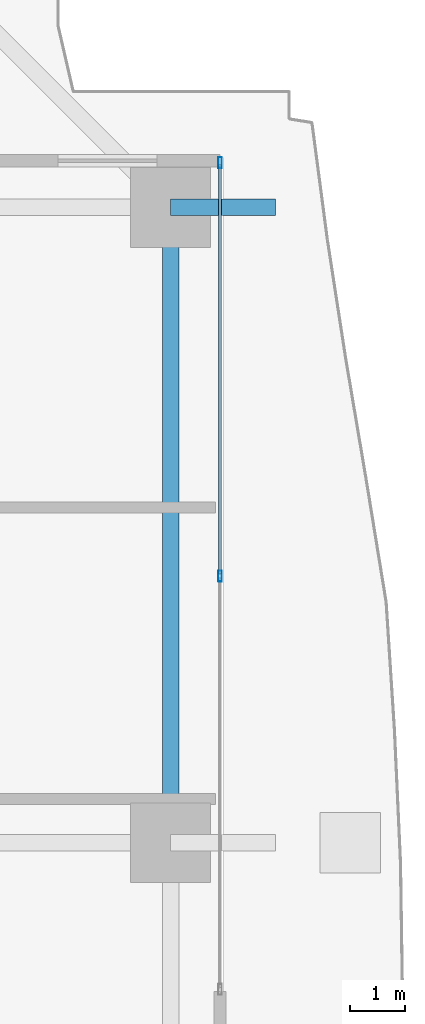
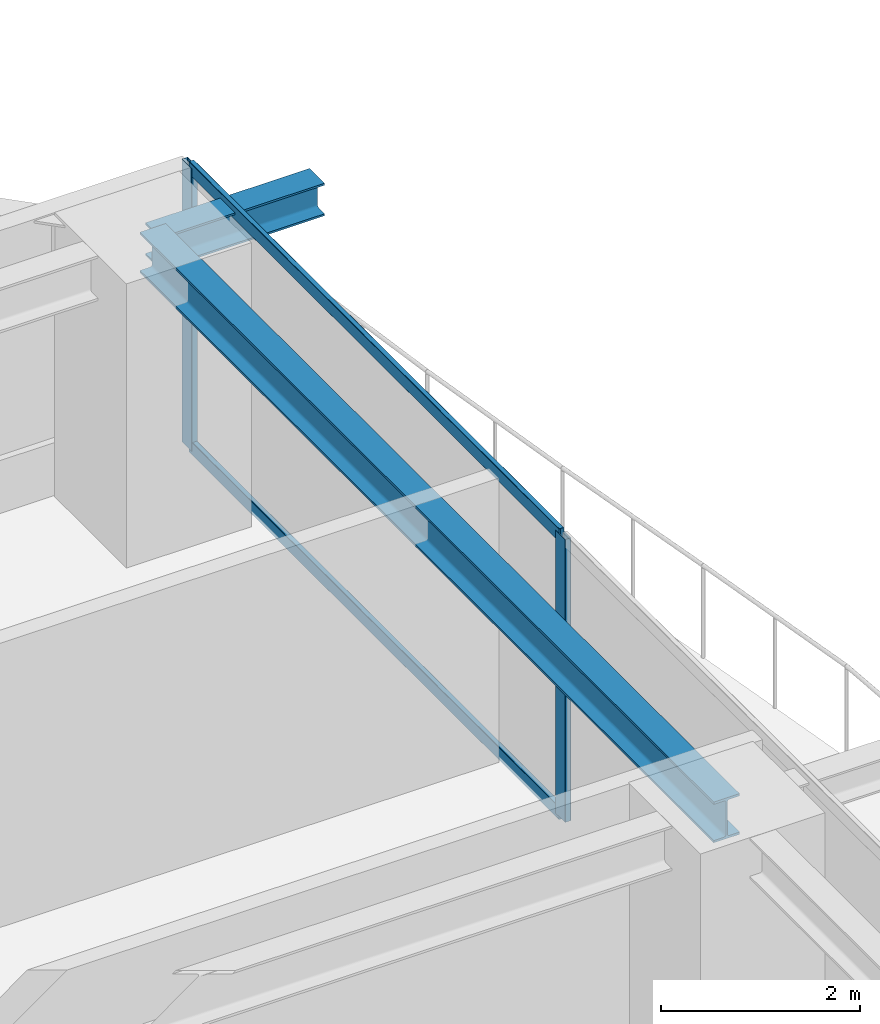
# One storey, part 23 of 38: 4 members, 2 beams, 1 element without a shape of its own.
"""IFC4 building model written with IfcOpenShell, lengths in metres."""

from ifc_helpers import new_model, si_unit, direction, frame, origin, origin_2d, place, context, subcontext, project, spatial, hollow_rectangle, i_section, extrude, source, transform, mapped, material, layer, layer_set, material_profile, profile_set, type_object, element, aggregate, save


model = new_model("IFC4")

# Units and contexts
model_context = context("Model", 3, precision=1e-05, world=origin(), true_north=direction((0.0, 1.0)))
body_context = subcontext(model_context, "Body", "Model", "MODEL_VIEW")
ifc_project = project(units=[si_unit("LENGTHUNIT", "METRE"), si_unit("AREAUNIT", "SQUARE_METRE"), si_unit("VOLUMEUNIT", "CUBIC_METRE"), si_unit("PLANEANGLEUNIT", "RADIAN"), si_unit("MASSUNIT", "GRAM", prefix="KILO")], contexts=[model_context])

# Site, building, storey
site_placement = place(None, origin())
site = spatial("IfcSite", under=ifc_project, at=site_placement, CompositionType="ELEMENT")
building_placement = place(site_placement, origin())
building = spatial("IfcBuilding", under=site, at=building_placement, Name="Serunith Strait Residences", CompositionType="ELEMENT")
storey_placement = place(building_placement, frame((0.0, 0.0, 82.949951171875)))
storey = spatial("IfcBuildingStorey", under=building, at=storey_placement, Name="L20", CompositionType="ELEMENT", Elevation=82.949951171875)

# Beams
ifc_material_1 = material(Name="Steel S355J2", Category="steel")
ifc_material_profile_1 = material_profile(ifc_material_1, i_section(OverallWidth=0.300048828125, OverallDepth=0.5, WebThickness=0.014404296875, FlangeThickness=0.028076171875, FilletRadius=0.027099609375, at=origin_2d()), Name="HEB 500")
ifc_profile_set_1 = profile_set([ifc_material_profile_1], Name="Steel S355J2")
beam_type_1 = type_object("IfcBeamType", Name="BM-HEB500", PredefinedType="BEAM", material=ifc_profile_set_1)
shared_shape_1 = source(origin(), body_context, "Body", "SweptSolid", [
    extrude(i_section(OverallWidth=0.300048828125, OverallDepth=0.5, WebThickness=0.014404296875, FlangeThickness=0.028076171875, FilletRadius=0.027099609375, at=origin_2d()), origin(), (0.0, 0.0, 1.0), 11.550048828125),
])
beam_1_placement = place(storey_placement, frame((57.89990234375, 29.39990234375, 3.237060546875), z_axis=(0.0, 1.0, 0.0), x_axis=(-1.0, 0.0, 0.0)))
element("IfcBeam", 1, at=beam_1_placement, inside=storey, type_object=beam_type_1, Name="L20 Perimeter Ring Beam 07", PredefinedType="BEAM", context=body_context, shape_type="MappedRepresentation", body=[
    mapped(shared_shape_1, transform((0.0, 0.0, 0.0), scale=1.0)),
])
ifc_material_profile_2 = material_profile(ifc_material_1, i_section(OverallWidth=0.300048828125, OverallDepth=0.39990234375, WebThickness=0.013427734375, FlangeThickness=0.02392578125, FilletRadius=0.027099609375, at=origin_2d()), Name="HEB 400")
ifc_profile_set_2 = profile_set([ifc_material_profile_2], Name="Steel S355J2")
beam_type_2 = type_object("IfcBeamType", Name="BM-HEB400", PredefinedType="BEAM", material=ifc_profile_set_2)
shared_shape_2 = source(origin(), body_context, "Body", "SweptSolid", [
    extrude(i_section(OverallWidth=0.300048828125, OverallDepth=0.39990234375, WebThickness=0.013427734375, FlangeThickness=0.02392578125, FilletRadius=0.027099609375, at=origin_2d()), origin(), (0.0, 0.0, 1.0), 1.91015625),
])
beam_2_placement = place(storey_placement, frame((57.89990234375, 40.949951171875, 3.257080078125), z_axis=(1.0, 0.0, 0.0), x_axis=(0.0, 1.0, 0.0)))
element("IfcBeam", 2, at=beam_2_placement, inside=storey, type_object=beam_type_2, Name="L21 Cantilevered Balcony Rib TC-E4", PredefinedType="BEAM", context=body_context, shape_type="MappedRepresentation", body=[
    mapped(shared_shape_2, transform((0.0, 0.0, 0.0), scale=1.0)),
])

# Curtain wall, members
ifc_material_2 = material(Name="Pale-Champagne Anodised Aluminium", Category="aluminium")
ifc_layer = layer(ifc_material_2, 0.199951171875, Name="Pale-Champagne Anodised Aluminium")
ifc_layer_set = layer_set([ifc_layer], Name="Pale-Champagne Anodised Aluminium")
curtain_wall_type = type_object("IfcCurtainWallType", Name="CW-SYS1", PredefinedType="NOTDEFINED", material=ifc_layer_set)
curtain_wall_placement = place(storey_placement, origin())
curtain_wall = element("IfcCurtainWall", 3, at=curtain_wall_placement, inside=storey, type_object=curtain_wall_type, Name="L20 E Unitised Fritted Curtain Wall", PredefinedType="NOTDEFINED")
ifc_material_profile_3 = material_profile(ifc_material_2, hollow_rectangle(XDim=0.070068359375, YDim=0.199951171875, WallThickness=0.00390625, InnerFilletRadius=0.006103515625, OuterFilletRadius=0.010009765625, at=origin_2d()), Name="ALU 200x70x4")
ifc_profile_set_3 = profile_set([ifc_material_profile_3], Name="Pale-Champagne Anodised Aluminium")
member_type_1 = type_object("IfcMemberType", Name="CW-SYS1-MULL", PredefinedType="MULLION", material=ifc_profile_set_3)
shared_shape_3 = source(origin(), body_context, "Body", "SweptSolid", [
    extrude(hollow_rectangle(XDim=0.070068359375, YDim=0.199951171875, WallThickness=0.00390625, InnerFilletRadius=0.006103515625, OuterFilletRadius=0.010009765625, at=origin_2d()), origin(), (0.0, 0.0, 1.0), 3.47509765625),
])
member_1_placement = place(storey_placement, frame((58.800048828125, 34.25, 0.0), z_axis=(0.0, 0.0, 1.0), x_axis=(-1.0, 0.0, 0.0)))
member_1 = element("IfcMember", 4, at=member_1_placement, type_object=member_type_1, Name="CW-1 mullion 2", PredefinedType="MULLION", context=body_context, shape_type="MappedRepresentation", body=[
    mapped(shared_shape_3, transform((0.0, 0.0, 0.0), scale=1.0)),
])
member_2_placement = place(storey_placement, frame((58.800048828125, 41.764892578125, 0.0), z_axis=(0.0, 0.0, 1.0), x_axis=(-1.0, 0.0, 0.0)))
member_2 = element("IfcMember", 5, at=member_2_placement, type_object=member_type_1, Name="CW-1 mullion 3", PredefinedType="MULLION", context=body_context, shape_type="MappedRepresentation", body=[
    mapped(shared_shape_3, transform((0.0, 0.0, 0.0), scale=1.0)),
])
ifc_material_profile_4 = material_profile(ifc_material_2, hollow_rectangle(XDim=0.06005859375, YDim=0.159912109375, WallThickness=0.00341796875, InnerFilletRadius=0.00537109375, OuterFilletRadius=0.0087890625, at=origin_2d()), Name="ALU 160x60x3.5")
ifc_profile_set_4 = profile_set([ifc_material_profile_4], Name="Pale-Champagne Anodised Aluminium")
member_type_2 = type_object("IfcMemberType", Name="CW-SYS1-TRAN", PredefinedType="USERDEFINED", material=ifc_profile_set_4)
shared_shape_4 = source(origin(), body_context, "Body", "SweptSolid", [
    extrude(hollow_rectangle(XDim=0.06005859375, YDim=0.159912109375, WallThickness=0.00341796875, InnerFilletRadius=0.00537109375, OuterFilletRadius=0.0087890625, at=origin_2d()), origin(), (0.0, 0.0, 1.0), 7.445068359375),
])
member_3_placement = place(storey_placement, frame((58.800048828125, 34.284912109375, 0.030029296875), z_axis=(0.0, 1.0, 0.0), x_axis=(-1.0, 0.0, 0.0)))
member_3 = element("IfcMember", 6, at=member_3_placement, type_object=member_type_2, Name="CW-1 transom 2.1", ObjectType="TRANSOM", PredefinedType="USERDEFINED", context=body_context, shape_type="MappedRepresentation", body=[
    mapped(shared_shape_4, transform((0.0, 0.0, 0.0), scale=1.0)),
])
member_4_placement = place(storey_placement, frame((58.800048828125, 34.284912109375, 3.445068359375), z_axis=(0.0, 1.0, 0.0), x_axis=(-1.0, 0.0, 0.0)))
member_4 = element("IfcMember", 7, at=member_4_placement, type_object=member_type_2, Name="CW-1 transom 2.2", ObjectType="TRANSOM", PredefinedType="USERDEFINED", context=body_context, shape_type="MappedRepresentation", body=[
    mapped(shared_shape_4, transform((0.0, 0.0, 0.0), scale=1.0)),
])
aggregate(curtain_wall, [member_1, member_2, member_3, member_4])

save(model, "model.ifc")
